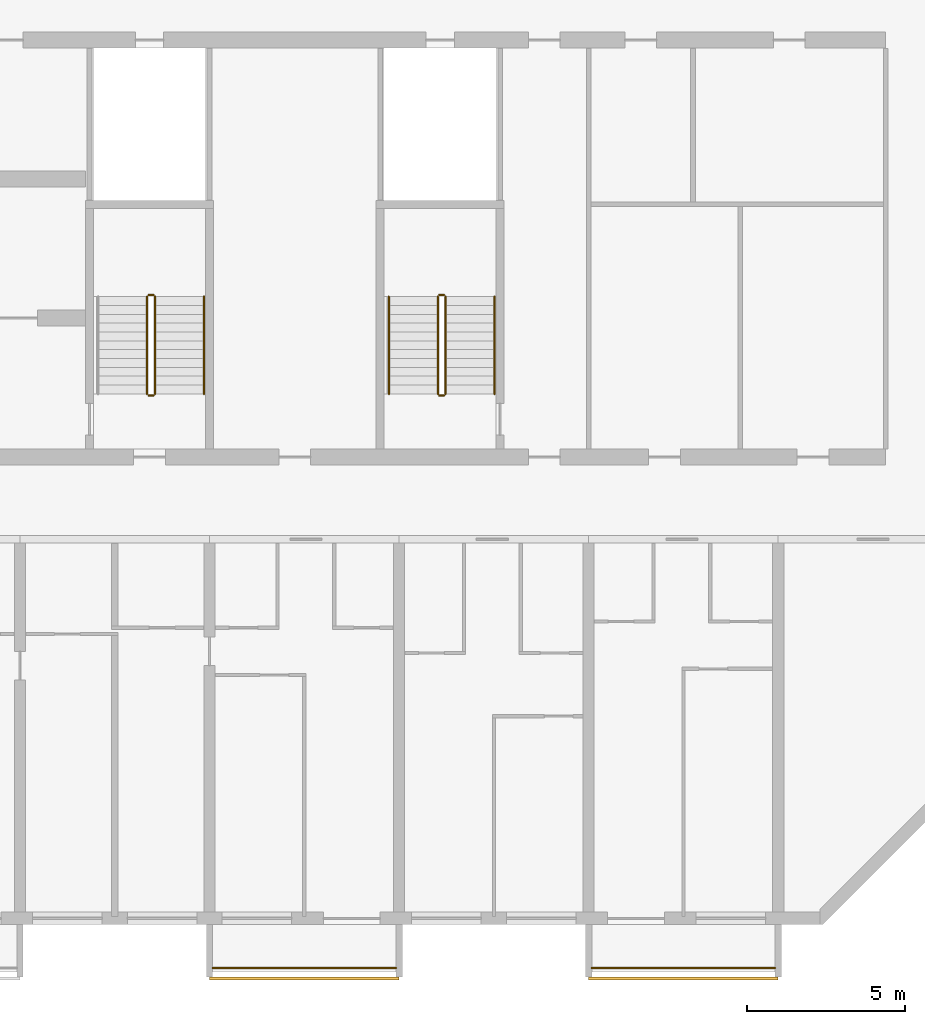
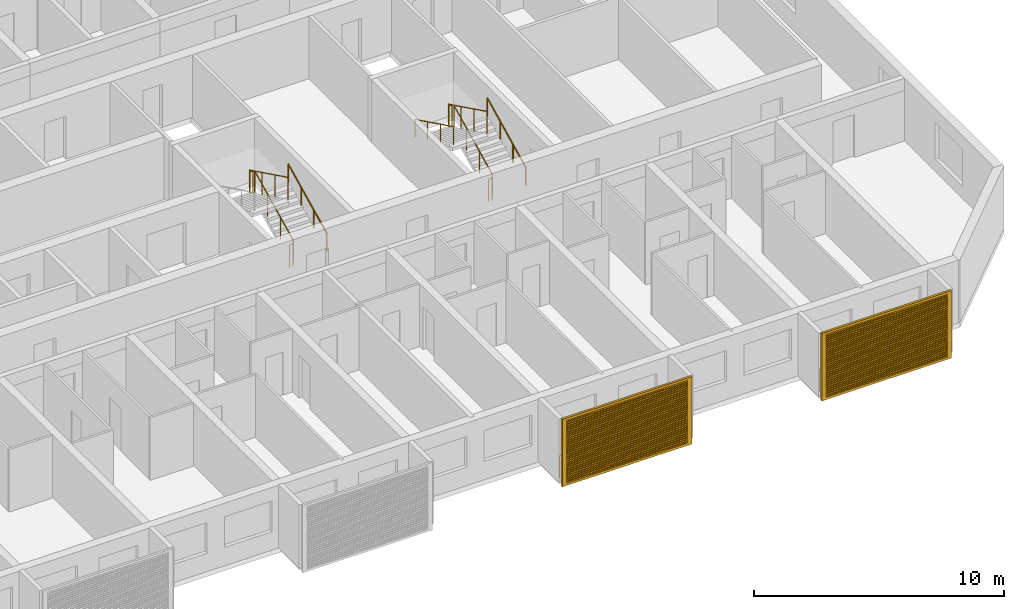
# One storey, part 27 of 31: 13 railings, 2 shading devices.
"""IFC4 building model written with IfcOpenShell, lengths in metres."""

from ifc_helpers import new_model, si_unit, direction, frame, origin, origin_2d, place, context, subcontext, project, spatial, polyline, circle, outline, extrude, source, transform, mapped, material, material_profile, profile_set, type_object, element, save


model = new_model("IFC4")

# Units and contexts
model_context = context("Model", 3, precision=1e-05, world=origin(), true_north=direction((0.0, 1.0)))
body_context = subcontext(model_context, "Body", "Model", "MODEL_VIEW")
ifc_project = project(units=[si_unit("LENGTHUNIT", "METRE"), si_unit("AREAUNIT", "SQUARE_METRE"), si_unit("VOLUMEUNIT", "CUBIC_METRE"), si_unit("PLANEANGLEUNIT", "RADIAN"), si_unit("MASSUNIT", "GRAM", prefix="KILO")], contexts=[model_context])

# Site, building, storey
site_placement = place(None, origin())
site = spatial("IfcSite", under=ifc_project, at=site_placement, CompositionType="ELEMENT")
building_placement = place(site_placement, origin())
building = spatial("IfcBuilding", under=site, at=building_placement, Name="Poui Terraces", CompositionType="ELEMENT")
storey_placement = place(building_placement, frame((0.0, 0.0, 82.800048828125)))
storey = spatial("IfcBuildingStorey", under=building, at=storey_placement, Name="L22", CompositionType="ELEMENT", Elevation=82.800048828125)

# Railings
ifc_material_1 = material(Name="Painted steel fretwork", Category="steel")
railing_type_1 = type_object("IfcRailingType", Name="BALCONY GUARD 1100", PredefinedType="GUARDRAIL", material=ifc_material_1)
for number, where, name in (
    (1, (72.10009765625, -1.570068359375, 0.0), "BALCONY GUARD"),
    (2, (84.10009765625, -1.570068359375, 0.0), "BALCONY GUARD"),
):
    element("IfcRailing", number, at=place(storey_placement, frame(where)), inside=storey, type_object=railing_type_1, Name=name, PredefinedType="GUARDRAIL", context=body_context, shape_type="SweptSolid", body=[
        extrude(circle(Radius=0.02392578125, at=origin_2d()), frame((0.0, 0.0, 1.076171875), z_axis=(1.0, 0.0, 0.0), x_axis=(0.0, 1.0, 0.0)), (0.0, 0.0, 1.0), 5.7998046875),
        extrude(circle(Radius=0.02099609375, at=origin_2d()), origin(), (0.0, 0.0, 1.0), 1.052001953125),
        extrude(circle(Radius=0.02099609375, at=origin_2d()), frame((0.966552734375, 0.0, 0.0)), (0.0, 0.0, 1.0), 1.052001953125),
        extrude(circle(Radius=0.02099609375, at=origin_2d()), frame((1.933349609375, 0.0, 0.0)), (0.0, 0.0, 1.0), 1.052001953125),
        extrude(circle(Radius=0.02099609375, at=origin_2d()), frame((2.89990234375, 0.0, 0.0)), (0.0, 0.0, 1.0), 1.052001953125),
        extrude(circle(Radius=0.02099609375, at=origin_2d()), frame((3.866455078125, 0.0, 0.0)), (0.0, 0.0, 1.0), 1.052001953125),
        extrude(circle(Radius=0.02099609375, at=origin_2d()), frame((4.833251953125, 0.0, 0.0)), (0.0, 0.0, 1.0), 1.052001953125),
        extrude(circle(Radius=0.02099609375, at=origin_2d()), frame((5.7998046875, 0.0, 0.0)), (0.0, 0.0, 1.0), 1.052001953125),
    ])
ifc_material_2 = material(Name="Galvanised steel balustrade", Category="steel")
railing_type_2 = type_object("IfcRailingType", Name="STAIR GUARD 1100", PredefinedType="GUARDRAIL", material=ifc_material_2)
railing_1_placement = place(storey_placement, frame((70.27490234375, 16.60009765625, 0.137451171875)))
element("IfcRailing", 3, at=railing_1_placement, inside=storey, type_object=railing_type_2, Name="L22 ST-CE stair guard 1", PredefinedType="GUARDRAIL", context=body_context, shape_type="SweptSolid", body=[
    extrude(circle(Radius=0.02392578125, at=origin_2d()), frame((0.0, 0.0, 1.076171875), z_axis=(0.0, 0.897606190399, 0.440798283751), x_axis=(-1.0, 0.0, 0.0)), (0.0, 0.0, 1.0), 3.43115234375),
    extrude(circle(Radius=0.02099609375, at=origin_2d()), origin(), (0.0, 0.0, 1.0), 1.052001953125),
    extrude(circle(Radius=0.02099609375, at=origin_2d()), frame((0.0, 1.026611328125, 0.504150390625)), (0.0, 0.0, 1.0), 1.052001953125),
    extrude(circle(Radius=0.02099609375, at=origin_2d()), frame((0.0, 2.05322265625, 1.00830078125)), (0.0, 0.0, 1.0), 1.052001953125),
    extrude(circle(Radius=0.02099609375, at=origin_2d()), frame((0.0, 3.079833984375, 1.512451171875)), (0.0, 0.0, 1.0), 1.052001953125),
])
railing_2_placement = place(storey_placement, frame((70.22509765625, 19.72998046875, 1.64990234375)))
element("IfcRailing", 4, at=railing_2_placement, inside=storey, type_object=railing_type_2, Name="L22 ST-CE stair guard 2", PredefinedType="GUARDRAIL", context=body_context, shape_type="SweptSolid", body=[
    extrude(circle(Radius=0.02392578125, at=origin_2d()), frame((0.0, 0.0, 1.076171875), z_axis=(-1.0, 0.0, 0.0), x_axis=(0.0, -1.0, 0.0)), (0.0, 0.0, 1.0), 0.150146484375),
    extrude(circle(Radius=0.02099609375, at=origin_2d()), origin(), (0.0, 0.0, 1.0), 1.052001953125),
    extrude(circle(Radius=0.02099609375, at=origin_2d()), frame((-0.150146484375, 0.0, 0.0)), (0.0, 0.0, 1.0), 1.052001953125),
])
railing_3_placement = place(storey_placement, frame((70.02490234375, 19.679931640625, 1.787353515625)))
element("IfcRailing", 5, at=railing_3_placement, inside=storey, type_object=railing_type_2, Name="L22 ST-CE stair guard 3", PredefinedType="GUARDRAIL", context=body_context, shape_type="SweptSolid", body=[
    extrude(circle(Radius=0.02392578125, at=origin_2d()), frame((0.0, 0.0, 1.076171875), z_axis=(0.0, -0.897578036475, 0.440855609512), x_axis=(1.0, 0.0, 0.0)), (0.0, 0.0, 1.0), 3.43115234375),
    extrude(circle(Radius=0.02099609375, at=origin_2d()), origin(), (0.0, 0.0, 1.0), 1.052001953125),
    extrude(circle(Radius=0.02099609375, at=origin_2d()), frame((0.0, -1.026611328125, 0.504150390625)), (0.0, 0.0, 1.0), 1.052001953125),
    extrude(circle(Radius=0.02099609375, at=origin_2d()), frame((0.0, -2.05322265625, 1.008544921875)), (0.0, 0.0, 1.0), 1.052001953125),
    extrude(circle(Radius=0.02099609375, at=origin_2d()), frame((0.0, -3.079833984375, 1.5126953125)), (0.0, 0.0, 1.0), 1.052001953125),
])
railing_4_placement = place(storey_placement, frame((70.22509765625, 16.550048828125, 0.0)))
element("IfcRailing", 6, at=railing_4_placement, inside=storey, type_object=railing_type_2, Name="L22 ST-CE stair guard 4", PredefinedType="GUARDRAIL", context=body_context, shape_type="SweptSolid", body=[
    extrude(circle(Radius=0.02392578125, at=origin_2d()), frame((0.0, 0.0, 1.076171875), z_axis=(-1.0, 0.0, 0.0), x_axis=(0.0, -1.0, 0.0)), (0.0, 0.0, 1.0), 0.150146484375),
    extrude(circle(Radius=0.02099609375, at=origin_2d()), origin(), (0.0, 0.0, 1.0), 1.052001953125),
    extrude(circle(Radius=0.02099609375, at=origin_2d()), frame((-0.150146484375, 0.0, 0.0)), (0.0, 0.0, 1.0), 1.052001953125),
])
railing_5_placement = place(storey_placement, frame((79.47509765625, 16.60009765625, 0.137451171875)))
element("IfcRailing", 7, at=railing_5_placement, inside=storey, type_object=railing_type_2, Name="L22 ST-E stair guard 1", PredefinedType="GUARDRAIL", context=body_context, shape_type="SweptSolid", body=[
    extrude(circle(Radius=0.02392578125, at=origin_2d()), frame((0.0, 0.0, 1.076171875), z_axis=(0.0, 0.897606190399, 0.440798283751), x_axis=(-1.0, 0.0, 0.0)), (0.0, 0.0, 1.0), 3.43115234375),
    extrude(circle(Radius=0.02099609375, at=origin_2d()), origin(), (0.0, 0.0, 1.0), 1.052001953125),
    extrude(circle(Radius=0.02099609375, at=origin_2d()), frame((0.0, 1.026611328125, 0.504150390625)), (0.0, 0.0, 1.0), 1.052001953125),
    extrude(circle(Radius=0.02099609375, at=origin_2d()), frame((0.0, 2.05322265625, 1.00830078125)), (0.0, 0.0, 1.0), 1.052001953125),
    extrude(circle(Radius=0.02099609375, at=origin_2d()), frame((0.0, 3.079833984375, 1.512451171875)), (0.0, 0.0, 1.0), 1.052001953125),
])
railing_6_placement = place(storey_placement, frame((79.425048828125, 19.72998046875, 1.64990234375)))
element("IfcRailing", 8, at=railing_6_placement, inside=storey, type_object=railing_type_2, Name="L22 ST-E stair guard 2", PredefinedType="GUARDRAIL", context=body_context, shape_type="SweptSolid", body=[
    extrude(circle(Radius=0.02392578125, at=origin_2d()), frame((0.0, 0.0, 1.076171875), z_axis=(-1.0, 0.0, 0.0), x_axis=(0.0, -1.0, 0.0)), (0.0, 0.0, 1.0), 0.150146484375),
    extrude(circle(Radius=0.02099609375, at=origin_2d()), origin(), (0.0, 0.0, 1.0), 1.052001953125),
    extrude(circle(Radius=0.02099609375, at=origin_2d()), frame((-0.150146484375, 0.0, 0.0)), (0.0, 0.0, 1.0), 1.052001953125),
])
railing_7_placement = place(storey_placement, frame((79.22509765625, 19.679931640625, 1.787353515625)))
element("IfcRailing", 9, at=railing_7_placement, inside=storey, type_object=railing_type_2, Name="L22 ST-E stair guard 3", PredefinedType="GUARDRAIL", context=body_context, shape_type="SweptSolid", body=[
    extrude(circle(Radius=0.02392578125, at=origin_2d()), frame((0.0, 0.0, 1.076171875), z_axis=(0.0, -0.897578036475, 0.440855609512), x_axis=(1.0, 0.0, 0.0)), (0.0, 0.0, 1.0), 3.43115234375),
    extrude(circle(Radius=0.02099609375, at=origin_2d()), origin(), (0.0, 0.0, 1.0), 1.052001953125),
    extrude(circle(Radius=0.02099609375, at=origin_2d()), frame((0.0, -1.026611328125, 0.504150390625)), (0.0, 0.0, 1.0), 1.052001953125),
    extrude(circle(Radius=0.02099609375, at=origin_2d()), frame((0.0, -2.05322265625, 1.008544921875)), (0.0, 0.0, 1.0), 1.052001953125),
    extrude(circle(Radius=0.02099609375, at=origin_2d()), frame((0.0, -3.079833984375, 1.5126953125)), (0.0, 0.0, 1.0), 1.052001953125),
])
railing_8_placement = place(storey_placement, frame((79.425048828125, 16.550048828125, 0.0)))
element("IfcRailing", 10, at=railing_8_placement, inside=storey, type_object=railing_type_2, Name="L22 ST-E stair guard 4", PredefinedType="GUARDRAIL", context=body_context, shape_type="SweptSolid", body=[
    extrude(circle(Radius=0.02392578125, at=origin_2d()), frame((0.0, 0.0, 1.076171875), z_axis=(-1.0, 0.0, 0.0), x_axis=(0.0, -1.0, 0.0)), (0.0, 0.0, 1.0), 0.150146484375),
    extrude(circle(Radius=0.02099609375, at=origin_2d()), origin(), (0.0, 0.0, 1.0), 1.052001953125),
    extrude(circle(Radius=0.02099609375, at=origin_2d()), frame((-0.150146484375, 0.0, 0.0)), (0.0, 0.0, 1.0), 1.052001953125),
])
ifc_material_3 = material(Name="Stainless steel handrail", Category="steel")
railing_type_3 = type_object("IfcRailingType", Name="STAIR HANDRAIL 900", PredefinedType="HANDRAIL", material=ifc_material_3)
for number, where, name in (
    (11, (71.824951171875, 16.60009765625, 0.137451171875), "L22 ST-CE stair handrail 1"),
    (12, (81.02490234375, 16.60009765625, 0.137451171875), "L22 ST-E stair handrail 1"),
):
    element("IfcRailing", number, at=place(storey_placement, frame(where)), inside=storey, type_object=railing_type_3, Name=name, PredefinedType="HANDRAIL", context=body_context, shape_type="SweptSolid", body=[
        extrude(circle(Radius=0.02392578125, at=origin_2d()), frame((0.0, 0.0, 0.8759765625), z_axis=(0.0, 0.897606190399, 0.440798283751), x_axis=(-1.0, 0.0, 0.0)), (0.0, 0.0, 1.0), 3.43115234375),
        extrude(circle(Radius=0.02099609375, at=origin_2d()), origin(), (0.0, 0.0, 1.0), 0.851806640625),
        extrude(circle(Radius=0.02099609375, at=origin_2d()), frame((0.0, 1.026611328125, 0.504150390625)), (0.0, 0.0, 1.0), 0.851806640625),
        extrude(circle(Radius=0.02099609375, at=origin_2d()), frame((0.0, 2.05322265625, 1.00830078125)), (0.0, 0.0, 1.0), 0.851806640625),
        extrude(circle(Radius=0.02099609375, at=origin_2d()), frame((0.0, 3.079833984375, 1.512451171875)), (0.0, 0.0, 1.0), 0.851806640625),
    ])
railing_9_placement = place(storey_placement, frame((77.675048828125, 19.679931640625, 1.787353515625)))
element("IfcRailing", 13, at=railing_9_placement, inside=storey, type_object=railing_type_3, Name="L22 ST-E stair handrail 2", PredefinedType="HANDRAIL", context=body_context, shape_type="SweptSolid", body=[
    extrude(circle(Radius=0.02392578125, at=origin_2d()), frame((0.0, 0.0, 0.8759765625), z_axis=(0.0, -0.897578036475, 0.440855609512), x_axis=(1.0, 0.0, 0.0)), (0.0, 0.0, 1.0), 3.43115234375),
    extrude(circle(Radius=0.02099609375, at=origin_2d()), origin(), (0.0, 0.0, 1.0), 0.851806640625),
    extrude(circle(Radius=0.02099609375, at=origin_2d()), frame((0.0, -1.026611328125, 0.504150390625)), (0.0, 0.0, 1.0), 0.851806640625),
    extrude(circle(Radius=0.02099609375, at=origin_2d()), frame((0.0, -2.05322265625, 1.008544921875)), (0.0, 0.0, 1.0), 0.851806640625),
    extrude(circle(Radius=0.02099609375, at=origin_2d()), frame((0.0, -3.079833984375, 1.5126953125)), (0.0, 0.0, 1.0), 0.851806640625),
])

# Shading devices
ifc_material_4 = material(Name="Aluminium louvre", Category="aluminium")
ifc_material_profile = material_profile(ifc_material_4, outline(polyline([(-3.0, -1.64990234375), (3.0, -1.64990234375), (3.0, 1.64990234375), (-3.0, 1.64990234375), (-3.0, -1.64990234375)]), holes=[polyline([(-2.800048828125, -1.530029296875), (2.800048828125, -1.530029296875), (2.800048828125, -1.469970703125), (-2.800048828125, -1.469970703125), (-2.800048828125, -1.530029296875)]), polyline([(-2.800048828125, -1.429931640625), (2.800048828125, -1.429931640625), (2.800048828125, -1.3701171875), (-2.800048828125, -1.3701171875), (-2.800048828125, -1.429931640625)]), polyline([(-2.800048828125, -1.330078125), (2.800048828125, -1.330078125), (2.800048828125, -1.27001953125), (-2.800048828125, -1.27001953125), (-2.800048828125, -1.330078125)]), polyline([(-2.800048828125, -1.22998046875), (2.800048828125, -1.22998046875), (2.800048828125, -1.169921875), (-2.800048828125, -1.169921875), (-2.800048828125, -1.22998046875)]), polyline([(-2.800048828125, -1.1298828125), (2.800048828125, -1.1298828125), (2.800048828125, -1.070068359375), (-2.800048828125, -1.070068359375), (-2.800048828125, -1.1298828125)]), polyline([(-2.800048828125, -1.030029296875), (2.800048828125, -1.030029296875), (2.800048828125, -0.969970703125), (-2.800048828125, -0.969970703125), (-2.800048828125, -1.030029296875)]), polyline([(-2.800048828125, -0.929931640625), (2.800048828125, -0.929931640625), (2.800048828125, -0.8701171875), (-2.800048828125, -0.8701171875), (-2.800048828125, -0.929931640625)]), polyline([(-2.800048828125, -0.830078125), (2.800048828125, -0.830078125), (2.800048828125, -0.77001953125), (-2.800048828125, -0.77001953125), (-2.800048828125, -0.830078125)]), polyline([(-2.800048828125, -0.72998046875), (2.800048828125, -0.72998046875), (2.800048828125, -0.669921875), (-2.800048828125, -0.669921875), (-2.800048828125, -0.72998046875)]), polyline([(-2.800048828125, -0.6298828125), (2.800048828125, -0.6298828125), (2.800048828125, -0.570068359375), (-2.800048828125, -0.570068359375), (-2.800048828125, -0.6298828125)]), polyline([(-2.800048828125, -0.530029296875), (2.800048828125, -0.530029296875), (2.800048828125, -0.469970703125), (-2.800048828125, -0.469970703125), (-2.800048828125, -0.530029296875)]), polyline([(-2.800048828125, -0.429931640625), (2.800048828125, -0.429931640625), (2.800048828125, -0.3701171875), (-2.800048828125, -0.3701171875), (-2.800048828125, -0.429931640625)]), polyline([(-2.800048828125, -0.330078125), (2.800048828125, -0.330078125), (2.800048828125, -0.27001953125), (-2.800048828125, -0.27001953125), (-2.800048828125, -0.330078125)]), polyline([(-2.800048828125, -0.22998046875), (2.800048828125, -0.22998046875), (2.800048828125, -0.169921875), (-2.800048828125, -0.169921875), (-2.800048828125, -0.22998046875)]), polyline([(-2.800048828125, -0.1298828125), (2.800048828125, -0.1298828125), (2.800048828125, -0.070068359375), (-2.800048828125, -0.070068359375), (-2.800048828125, -0.1298828125)]), polyline([(-2.800048828125, -0.030029296875), (2.800048828125, -0.030029296875), (2.800048828125, 0.030029296875), (-2.800048828125, 0.030029296875), (-2.800048828125, -0.030029296875)]), polyline([(-2.800048828125, 0.070068359375), (2.800048828125, 0.070068359375), (2.800048828125, 0.1298828125), (-2.800048828125, 0.1298828125), (-2.800048828125, 0.070068359375)]), polyline([(-2.800048828125, 0.169921875), (2.800048828125, 0.169921875), (2.800048828125, 0.22998046875), (-2.800048828125, 0.22998046875), (-2.800048828125, 0.169921875)]), polyline([(-2.800048828125, 0.27001953125), (2.800048828125, 0.27001953125), (2.800048828125, 0.330078125), (-2.800048828125, 0.330078125), (-2.800048828125, 0.27001953125)]), polyline([(-2.800048828125, 0.3701171875), (2.800048828125, 0.3701171875), (2.800048828125, 0.429931640625), (-2.800048828125, 0.429931640625), (-2.800048828125, 0.3701171875)]), polyline([(-2.800048828125, 0.469970703125), (2.800048828125, 0.469970703125), (2.800048828125, 0.530029296875), (-2.800048828125, 0.530029296875), (-2.800048828125, 0.469970703125)]), polyline([(-2.800048828125, 0.570068359375), (2.800048828125, 0.570068359375), (2.800048828125, 0.6298828125), (-2.800048828125, 0.6298828125), (-2.800048828125, 0.570068359375)]), polyline([(-2.800048828125, 0.669921875), (2.800048828125, 0.669921875), (2.800048828125, 0.72998046875), (-2.800048828125, 0.72998046875), (-2.800048828125, 0.669921875)]), polyline([(-2.800048828125, 0.77001953125), (2.800048828125, 0.77001953125), (2.800048828125, 0.830078125), (-2.800048828125, 0.830078125), (-2.800048828125, 0.77001953125)]), polyline([(-2.800048828125, 0.8701171875), (2.800048828125, 0.8701171875), (2.800048828125, 0.929931640625), (-2.800048828125, 0.929931640625), (-2.800048828125, 0.8701171875)]), polyline([(-2.800048828125, 0.969970703125), (2.800048828125, 0.969970703125), (2.800048828125, 1.030029296875), (-2.800048828125, 1.030029296875), (-2.800048828125, 0.969970703125)]), polyline([(-2.800048828125, 1.070068359375), (2.800048828125, 1.070068359375), (2.800048828125, 1.1298828125), (-2.800048828125, 1.1298828125), (-2.800048828125, 1.070068359375)]), polyline([(-2.800048828125, 1.169921875), (2.800048828125, 1.169921875), (2.800048828125, 1.22998046875), (-2.800048828125, 1.22998046875), (-2.800048828125, 1.169921875)]), polyline([(-2.800048828125, 1.27001953125), (2.800048828125, 1.27001953125), (2.800048828125, 1.330078125), (-2.800048828125, 1.330078125), (-2.800048828125, 1.27001953125)]), polyline([(-2.800048828125, 1.3701171875), (2.800048828125, 1.3701171875), (2.800048828125, 1.429931640625), (-2.800048828125, 1.429931640625), (-2.800048828125, 1.3701171875)]), polyline([(-2.800048828125, 1.469970703125), (2.800048828125, 1.469970703125), (2.800048828125, 1.530029296875), (-2.800048828125, 1.530029296875), (-2.800048828125, 1.469970703125)])]), Name="JALOUSIE LOUVRE SHUTTER 6000X3300")
ifc_profile_set = profile_set([ifc_material_profile], Name="Aluminium louvre")
shading_device_type = type_object("IfcShadingDeviceType", Name="JALOUSIE LOUVRE SHUTTER 6000X3300", PredefinedType="JALOUSIE", material=ifc_profile_set)
shared_shape = source(origin(), body_context, "Body", "SweptSolid", [
    extrude(outline(polyline([(-3.0, -1.64990234375), (3.0, -1.64990234375), (3.0, 1.64990234375), (-3.0, 1.64990234375), (-3.0, -1.64990234375)]), holes=[polyline([(-2.800048828125, -1.530029296875), (2.800048828125, -1.530029296875), (2.800048828125, -1.469970703125), (-2.800048828125, -1.469970703125), (-2.800048828125, -1.530029296875)]), polyline([(-2.800048828125, -1.429931640625), (2.800048828125, -1.429931640625), (2.800048828125, -1.3701171875), (-2.800048828125, -1.3701171875), (-2.800048828125, -1.429931640625)]), polyline([(-2.800048828125, -1.330078125), (2.800048828125, -1.330078125), (2.800048828125, -1.27001953125), (-2.800048828125, -1.27001953125), (-2.800048828125, -1.330078125)]), polyline([(-2.800048828125, -1.22998046875), (2.800048828125, -1.22998046875), (2.800048828125, -1.169921875), (-2.800048828125, -1.169921875), (-2.800048828125, -1.22998046875)]), polyline([(-2.800048828125, -1.1298828125), (2.800048828125, -1.1298828125), (2.800048828125, -1.070068359375), (-2.800048828125, -1.070068359375), (-2.800048828125, -1.1298828125)]), polyline([(-2.800048828125, -1.030029296875), (2.800048828125, -1.030029296875), (2.800048828125, -0.969970703125), (-2.800048828125, -0.969970703125), (-2.800048828125, -1.030029296875)]), polyline([(-2.800048828125, -0.929931640625), (2.800048828125, -0.929931640625), (2.800048828125, -0.8701171875), (-2.800048828125, -0.8701171875), (-2.800048828125, -0.929931640625)]), polyline([(-2.800048828125, -0.830078125), (2.800048828125, -0.830078125), (2.800048828125, -0.77001953125), (-2.800048828125, -0.77001953125), (-2.800048828125, -0.830078125)]), polyline([(-2.800048828125, -0.72998046875), (2.800048828125, -0.72998046875), (2.800048828125, -0.669921875), (-2.800048828125, -0.669921875), (-2.800048828125, -0.72998046875)]), polyline([(-2.800048828125, -0.6298828125), (2.800048828125, -0.6298828125), (2.800048828125, -0.570068359375), (-2.800048828125, -0.570068359375), (-2.800048828125, -0.6298828125)]), polyline([(-2.800048828125, -0.530029296875), (2.800048828125, -0.530029296875), (2.800048828125, -0.469970703125), (-2.800048828125, -0.469970703125), (-2.800048828125, -0.530029296875)]), polyline([(-2.800048828125, -0.429931640625), (2.800048828125, -0.429931640625), (2.800048828125, -0.3701171875), (-2.800048828125, -0.3701171875), (-2.800048828125, -0.429931640625)]), polyline([(-2.800048828125, -0.330078125), (2.800048828125, -0.330078125), (2.800048828125, -0.27001953125), (-2.800048828125, -0.27001953125), (-2.800048828125, -0.330078125)]), polyline([(-2.800048828125, -0.22998046875), (2.800048828125, -0.22998046875), (2.800048828125, -0.169921875), (-2.800048828125, -0.169921875), (-2.800048828125, -0.22998046875)]), polyline([(-2.800048828125, -0.1298828125), (2.800048828125, -0.1298828125), (2.800048828125, -0.070068359375), (-2.800048828125, -0.070068359375), (-2.800048828125, -0.1298828125)]), polyline([(-2.800048828125, -0.030029296875), (2.800048828125, -0.030029296875), (2.800048828125, 0.030029296875), (-2.800048828125, 0.030029296875), (-2.800048828125, -0.030029296875)]), polyline([(-2.800048828125, 0.070068359375), (2.800048828125, 0.070068359375), (2.800048828125, 0.1298828125), (-2.800048828125, 0.1298828125), (-2.800048828125, 0.070068359375)]), polyline([(-2.800048828125, 0.169921875), (2.800048828125, 0.169921875), (2.800048828125, 0.22998046875), (-2.800048828125, 0.22998046875), (-2.800048828125, 0.169921875)]), polyline([(-2.800048828125, 0.27001953125), (2.800048828125, 0.27001953125), (2.800048828125, 0.330078125), (-2.800048828125, 0.330078125), (-2.800048828125, 0.27001953125)]), polyline([(-2.800048828125, 0.3701171875), (2.800048828125, 0.3701171875), (2.800048828125, 0.429931640625), (-2.800048828125, 0.429931640625), (-2.800048828125, 0.3701171875)]), polyline([(-2.800048828125, 0.469970703125), (2.800048828125, 0.469970703125), (2.800048828125, 0.530029296875), (-2.800048828125, 0.530029296875), (-2.800048828125, 0.469970703125)]), polyline([(-2.800048828125, 0.570068359375), (2.800048828125, 0.570068359375), (2.800048828125, 0.6298828125), (-2.800048828125, 0.6298828125), (-2.800048828125, 0.570068359375)]), polyline([(-2.800048828125, 0.669921875), (2.800048828125, 0.669921875), (2.800048828125, 0.72998046875), (-2.800048828125, 0.72998046875), (-2.800048828125, 0.669921875)]), polyline([(-2.800048828125, 0.77001953125), (2.800048828125, 0.77001953125), (2.800048828125, 0.830078125), (-2.800048828125, 0.830078125), (-2.800048828125, 0.77001953125)]), polyline([(-2.800048828125, 0.8701171875), (2.800048828125, 0.8701171875), (2.800048828125, 0.929931640625), (-2.800048828125, 0.929931640625), (-2.800048828125, 0.8701171875)]), polyline([(-2.800048828125, 0.969970703125), (2.800048828125, 0.969970703125), (2.800048828125, 1.030029296875), (-2.800048828125, 1.030029296875), (-2.800048828125, 0.969970703125)]), polyline([(-2.800048828125, 1.070068359375), (2.800048828125, 1.070068359375), (2.800048828125, 1.1298828125), (-2.800048828125, 1.1298828125), (-2.800048828125, 1.070068359375)]), polyline([(-2.800048828125, 1.169921875), (2.800048828125, 1.169921875), (2.800048828125, 1.22998046875), (-2.800048828125, 1.22998046875), (-2.800048828125, 1.169921875)]), polyline([(-2.800048828125, 1.27001953125), (2.800048828125, 1.27001953125), (2.800048828125, 1.330078125), (-2.800048828125, 1.330078125), (-2.800048828125, 1.27001953125)]), polyline([(-2.800048828125, 1.3701171875), (2.800048828125, 1.3701171875), (2.800048828125, 1.429931640625), (-2.800048828125, 1.429931640625), (-2.800048828125, 1.3701171875)]), polyline([(-2.800048828125, 1.469970703125), (2.800048828125, 1.469970703125), (2.800048828125, 1.530029296875), (-2.800048828125, 1.530029296875), (-2.800048828125, 1.469970703125)])]), origin(), (0.0, 0.0, 1.0), 0.099853515625),
])
for number, where, z_axis, x_axis, name in (
    (14, (75.0, -1.85009765625, 1.449951171875), (0.0, -1.0, 0.0), (1.0, 0.0, 0.0), "JALOUSIE LOUVRE SHUTTER"),
    (15, (87.0, -1.85009765625, 1.449951171875), (0.0, -1.0, 0.0), (1.0, 0.0, 0.0), "JALOUSIE LOUVRE SHUTTER"),
):
    element("IfcShadingDevice", number, at=place(storey_placement, frame(where, z_axis=z_axis, x_axis=x_axis)), inside=storey, type_object=shading_device_type, Name=name, PredefinedType="JALOUSIE", context=body_context, shape_type="MappedRepresentation", body=[
        mapped(shared_shape, transform((0.0, 0.0, 0.0))),
    ])

save(model, "model.ifc")
